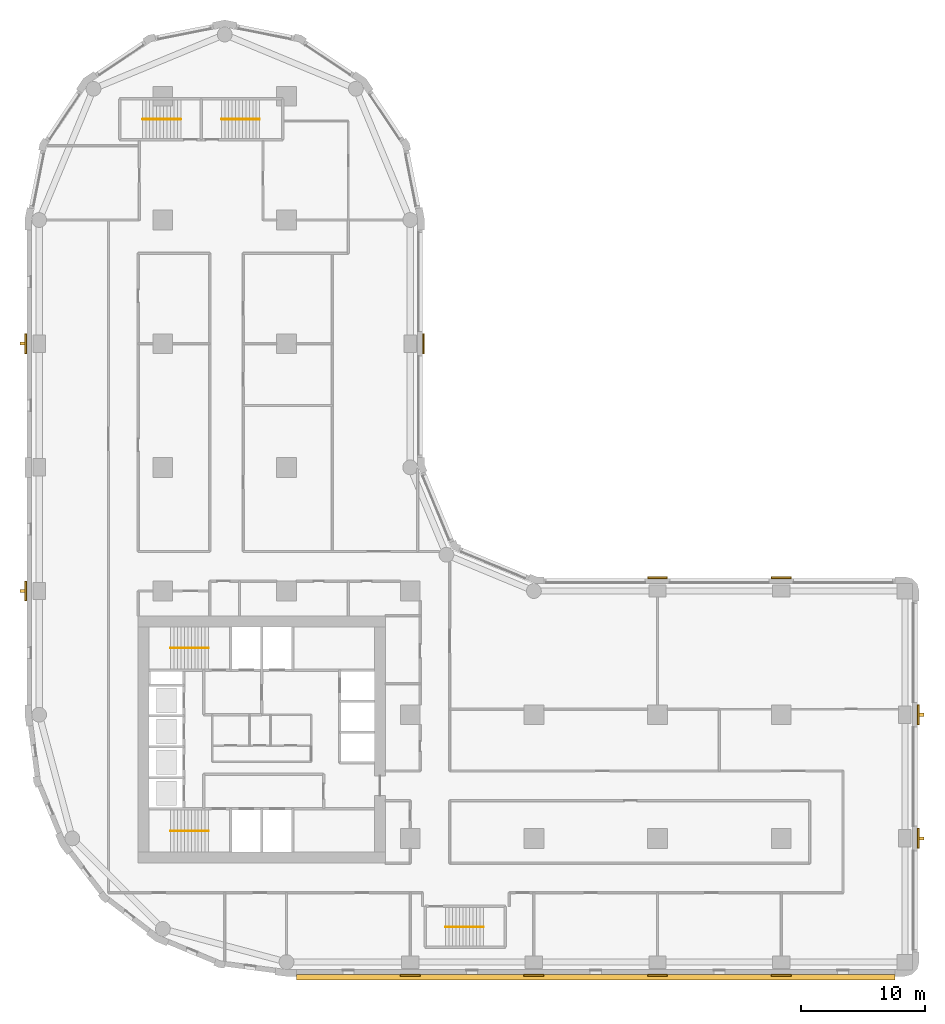
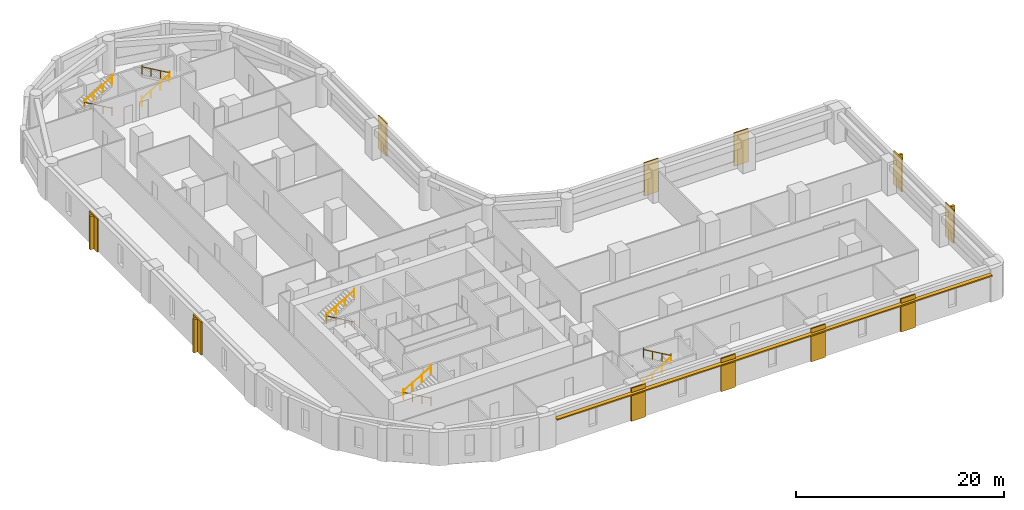
# One storey, part 9 of 10: 11 coverings, 10 railings, 5 shading devices.
"""IFC4 building model written with IfcOpenShell, lengths in metres."""

from ifc_helpers import new_model, si_unit, direction, frame, origin, origin_2d, place, context, subcontext, project, spatial, polyline, rectangle, circle, outline, extrude, material, layer, layer_set, type_object, element, save


model = new_model("IFC4")

# Units and contexts
model_context = context("Model", 3, precision=1e-05, world=origin(), true_north=direction((0.0, 1.0)))
body_context = subcontext(model_context, "Body", "Model", "MODEL_VIEW")
ifc_project = project(units=[si_unit("LENGTHUNIT", "METRE"), si_unit("AREAUNIT", "SQUARE_METRE"), si_unit("VOLUMEUNIT", "CUBIC_METRE"), si_unit("PLANEANGLEUNIT", "RADIAN"), si_unit("MASSUNIT", "GRAM", prefix="KILO")], contexts=[model_context])

# Site, building, storey
site_placement = place(None, origin())
site = spatial("IfcSite", under=ifc_project, at=site_placement, CompositionType="ELEMENT")
building_placement = place(site_placement, origin())
building = spatial("IfcBuilding", under=site, at=building_placement, Name="Qaws Garden Tower", CompositionType="ELEMENT")
storey_placement = place(building_placement, frame((0.0, 0.0, 105.60009765625)))
storey = spatial("IfcBuildingStorey", under=building, at=storey_placement, Name="L26", CompositionType="ELEMENT", Elevation=105.60009765625)

# Coverings
ifc_material_1 = material(Name="Clay facing brick masonry", Category="masonry")
ifc_layer_1 = layer(ifc_material_1, 0.14990234375)
ifc_layer_set_1 = layer_set([ifc_layer_1], Name="Clay facing brick masonry")
covering_type = type_object("IfcCoveringType", Name="Brick pilaster facing 150 x 1600", PredefinedType="CLADDING", material=ifc_layer_set_1)
placement = place(storey_placement, origin())
element("IfcCovering", 1, at=placement, inside=storey, type_object=covering_type, Name="E-L26-pier-01", PredefinedType="CLADDING", context=body_context, shape_type="SweptSolid", body=[
    extrude(outline(polyline([(29.199951171875, -1.0), (30.800048828125, -1.0), (30.800048828125, -1.14990234375), (29.199951171875, -1.14990234375), (29.199951171875, -1.0)])), origin(), (0.0, 0.0, 1.0), 3.89990234375),
])
element("IfcCovering", 2, at=placement, inside=storey, type_object=covering_type, Name="E-L26-pier-02", PredefinedType="CLADDING", context=body_context, shape_type="SweptSolid", body=[
    extrude(outline(polyline([(39.199951171875, -1.0), (40.800048828125, -1.0), (40.800048828125, -1.14990234375), (39.199951171875, -1.14990234375), (39.199951171875, -1.0)])), origin(), (0.0, 0.0, 1.0), 3.89990234375),
])
element("IfcCovering", 3, at=placement, inside=storey, type_object=covering_type, Name="E-L26-pier-03", PredefinedType="CLADDING", context=body_context, shape_type="SweptSolid", body=[
    extrude(outline(polyline([(49.199951171875, -1.0), (50.800048828125, -1.0), (50.800048828125, -1.14990234375), (49.199951171875, -1.14990234375), (49.199951171875, -1.0)])), origin(), (0.0, 0.0, 1.0), 3.89990234375),
])
element("IfcCovering", 4, at=placement, inside=storey, type_object=covering_type, Name="E-L26-pier-04", PredefinedType="CLADDING", context=body_context, shape_type="SweptSolid", body=[
    extrude(outline(polyline([(59.199951171875, -1.0), (60.800048828125, -1.0), (60.800048828125, -1.14990234375), (59.199951171875, -1.14990234375), (59.199951171875, -1.0)])), origin(), (0.0, 0.0, 1.0), 3.89990234375),
])
element("IfcCovering", 5, at=placement, inside=storey, type_object=covering_type, Name="E-L26-pier-06", PredefinedType="CLADDING", context=body_context, shape_type="SweptSolid", body=[
    extrude(outline(polyline([(71.0, 9.199951171875), (71.0, 10.800048828125), (71.14990234375, 10.800048828125), (71.14990234375, 9.199951171875), (71.0, 9.199951171875)])), origin(), (0.0, 0.0, 1.0), 3.89990234375),
])
element("IfcCovering", 6, at=placement, inside=storey, type_object=covering_type, Name="E-L26-pier-07", PredefinedType="CLADDING", context=body_context, shape_type="SweptSolid", body=[
    extrude(outline(polyline([(71.0, 19.199951171875), (71.0, 20.800048828125), (71.14990234375, 20.800048828125), (71.14990234375, 19.199951171875), (71.0, 19.199951171875)])), origin(), (0.0, 0.0, 1.0), 3.89990234375),
])
element("IfcCovering", 7, at=placement, inside=storey, type_object=covering_type, Name="E-L26-pier-09", PredefinedType="CLADDING", context=body_context, shape_type="SweptSolid", body=[
    extrude(outline(polyline([(60.800048828125, 31.0), (59.199951171875, 31.0), (59.199951171875, 31.14990234375), (60.800048828125, 31.14990234375), (60.800048828125, 31.0)])), origin(), (0.0, 0.0, 1.0), 3.89990234375),
])
element("IfcCovering", 8, at=placement, inside=storey, type_object=covering_type, Name="E-L26-pier-10", PredefinedType="CLADDING", context=body_context, shape_type="SweptSolid", body=[
    extrude(outline(polyline([(50.800048828125, 31.0), (49.199951171875, 31.0), (49.199951171875, 31.14990234375), (50.800048828125, 31.14990234375), (50.800048828125, 31.0)])), origin(), (0.0, 0.0, 1.0), 3.89990234375),
])
element("IfcCovering", 9, at=placement, inside=storey, type_object=covering_type, Name="E-L26-pier-14", PredefinedType="CLADDING", context=body_context, shape_type="SweptSolid", body=[
    extrude(outline(polyline([(31.0, 49.199951171875), (31.0, 50.800048828125), (31.14990234375, 50.800048828125), (31.14990234375, 49.199951171875), (31.0, 49.199951171875)])), origin(), (0.0, 0.0, 1.0), 3.89990234375),
])
element("IfcCovering", 10, at=placement, inside=storey, type_object=covering_type, Name="E-L26-pier-24", PredefinedType="CLADDING", context=body_context, shape_type="SweptSolid", body=[
    extrude(outline(polyline([(-1.0, 50.800048828125), (-1.0, 49.199951171875), (-1.14990234375, 49.199951171875), (-1.14990234375, 50.800048828125), (-1.0, 50.800048828125)])), origin(), (0.0, 0.0, 1.0), 3.89990234375),
])
element("IfcCovering", 11, at=placement, inside=storey, type_object=covering_type, Name="E-L26-pier-26", PredefinedType="CLADDING", context=body_context, shape_type="SweptSolid", body=[
    extrude(outline(polyline([(-1.0, 30.800048828125), (-1.0, 29.199951171875), (-1.14990234375, 29.199951171875), (-1.14990234375, 30.800048828125), (-1.0, 30.800048828125)])), origin(), (0.0, 0.0, 1.0), 3.89990234375),
])

# Shading devices
ifc_material_2 = material(Name="Clay facing brick masonry", Category="masonry")
ifc_layer_2 = layer(ifc_material_2, 0.14990234375)
ifc_layer_set_2 = layer_set([ifc_layer_2], Name="Clay facing brick masonry")
shading_device_type_1 = type_object("IfcShadingDeviceType", Name="Brick sunshade band 450 x 150", PredefinedType="JALOUSIE", material=ifc_layer_set_2)
shading_device_placement = place(storey_placement, frame((0.0, 0.0, 3.25)))
element("IfcShadingDevice", 12, at=shading_device_placement, inside=storey, type_object=shading_device_type_1, Name="SUNSHADE 00", PredefinedType="JALOUSIE", context=body_context, shape_type="SweptSolid", body=[
    extrude(outline(polyline([(20.800048828125, -1.0), (20.800048828125, -1.449951171875), (69.199951171875, -1.449951171875), (69.199951171875, -1.0), (60.800048828125, -1.0), (60.800048828125, -1.14990234375), (59.199951171875, -1.14990234375), (59.199951171875, -1.0), (50.800048828125, -1.0), (50.800048828125, -1.14990234375), (49.199951171875, -1.14990234375), (49.199951171875, -1.0), (40.800048828125, -1.0), (40.800048828125, -1.14990234375), (39.199951171875, -1.14990234375), (39.199951171875, -1.0), (30.800048828125, -1.0), (30.800048828125, -1.14990234375), (29.199951171875, -1.14990234375), (29.199951171875, -1.0), (20.800048828125, -1.0)])), origin(), (0.0, 0.0, 1.0), 0.14990234375),
])
ifc_material_3 = material(Name="Clay facing brick masonry", Category="masonry")
ifc_layer_3 = layer(ifc_material_3, 0.25)
ifc_layer_set_3 = layer_set([ifc_layer_3], Name="Clay facing brick masonry")
shading_device_type_2 = type_object("IfcShadingDeviceType", Name="Brick-faced fin 250 x 400", PredefinedType="USERDEFINED", material=ifc_layer_set_3)
for number, where, z_axis, x_axis, name in (
    (13, (71.35009765625, 10.0, 0.0), (0.0, 0.0, 1.0), (0.0, 1.0, 0.0), "FIN 06"),
    (14, (71.35009765625, 20.0, 0.0), (0.0, 0.0, 1.0), (0.0, 1.0, 0.0), "FIN 07"),
    (15, (-1.35009765625, 50.0, 0.0), (0.0, 0.0, 1.0), (0.0, -1.0, 0.0), "FIN 24"),
    (16, (-1.35009765625, 30.0, 0.0), (0.0, 0.0, 1.0), (0.0, -1.0, 0.0), "FIN 26"),
):
    element("IfcShadingDevice", number, at=place(storey_placement, frame(where, z_axis=z_axis, x_axis=x_axis)), inside=storey, type_object=shading_device_type_2, Name=name, ObjectType="FIN", PredefinedType="USERDEFINED", context=body_context, shape_type="SweptSolid", body=[
        extrude(rectangle(XDim=0.25, YDim=0.39990234375, at=origin_2d()), origin(), (0.0, 0.0, 1.0), 3.89990234375),
    ])

# Railings
ifc_material_4 = material(Name="Steel S355", Category="steel")
railing_type = type_object("IfcRailingType", Name="Stair handrail 900", PredefinedType="HANDRAIL", material=ifc_material_4)
railing_1_placement = place(storey_placement, frame((13.699951171875, 10.60009765625, 0.162353515625)))
element("IfcRailing", 17, at=railing_1_placement, inside=storey, type_object=railing_type, Name="Stair 1 handrail", PredefinedType="HANDRAIL", context=body_context, shape_type="SweptSolid", body=[
    extrude(circle(Radius=0.02392578125, at=origin_2d()), frame((0.0, 0.0, 0.8759765625), z_axis=(-0.864873446163, 0.0, 0.501989962173), x_axis=(0.0, -1.0, 0.0)), (0.0, 0.0, 1.0), 3.56103515625),
    extrude(circle(Radius=0.02099609375, at=origin_2d()), origin(), (0.0, 0.0, 1.0), 1.06201171875),
    extrude(circle(Radius=0.02099609375, at=origin_2d()), frame((-1.026611328125, 0.0, 0.595947265625)), (0.0, 0.0, 1.0), 0.851806640625),
    extrude(circle(Radius=0.02099609375, at=origin_2d()), frame((-2.05322265625, 0.0, 1.191650390625)), (0.0, 0.0, 1.0), 0.851806640625),
    extrude(circle(Radius=0.02099609375, at=origin_2d()), frame((-3.079833984375, 0.0, 1.78759765625)), (0.0, 0.0, 1.0), 1.06201171875),
])
railing_2_placement = place(storey_placement, frame((10.6201171875, 10.60009765625, 2.1123046875)))
element("IfcRailing", 18, at=railing_2_placement, inside=storey, type_object=railing_type, Name="Stair 1 handrail", PredefinedType="HANDRAIL", context=body_context, shape_type="SweptSolid", body=[
    extrude(circle(Radius=0.02392578125, at=origin_2d()), frame((0.0, 0.0, 0.8759765625), z_axis=(0.864873446163, 0.0, 0.501989962173), x_axis=(0.0, 1.0, 0.0)), (0.0, 0.0, 1.0), 3.56103515625),
    extrude(circle(Radius=0.02099609375, at=origin_2d()), origin(), (0.0, 0.0, 1.0), 1.06201171875),
    extrude(circle(Radius=0.02099609375, at=origin_2d()), frame((1.026611328125, 0.0, 0.595947265625)), (0.0, 0.0, 1.0), 0.851806640625),
    extrude(circle(Radius=0.02099609375, at=origin_2d()), frame((2.05322265625, 0.0, 1.191650390625)), (0.0, 0.0, 1.0), 0.851806640625),
    extrude(circle(Radius=0.02099609375, at=origin_2d()), frame((3.079833984375, 0.0, 1.78759765625)), (0.0, 0.0, 1.0), 1.06201171875),
])
railing_3_placement = place(storey_placement, frame((13.699951171875, 25.39990234375, 0.162353515625)))
element("IfcRailing", 19, at=railing_3_placement, inside=storey, type_object=railing_type, Name="Stair 4 handrail", PredefinedType="HANDRAIL", context=body_context, shape_type="SweptSolid", body=[
    extrude(circle(Radius=0.02392578125, at=origin_2d()), frame((0.0, 0.0, 0.8759765625), z_axis=(-0.864873446163, 0.0, 0.501989962173), x_axis=(0.0, -1.0, 0.0)), (0.0, 0.0, 1.0), 3.56103515625),
    extrude(circle(Radius=0.02099609375, at=origin_2d()), origin(), (0.0, 0.0, 1.0), 1.06201171875),
    extrude(circle(Radius=0.02099609375, at=origin_2d()), frame((-1.026611328125, 0.0, 0.595947265625)), (0.0, 0.0, 1.0), 0.851806640625),
    extrude(circle(Radius=0.02099609375, at=origin_2d()), frame((-2.05322265625, 0.0, 1.191650390625)), (0.0, 0.0, 1.0), 0.851806640625),
    extrude(circle(Radius=0.02099609375, at=origin_2d()), frame((-3.079833984375, 0.0, 1.78759765625)), (0.0, 0.0, 1.0), 1.06201171875),
])
for number, where, name in (
    (20, (10.6201171875, 25.39990234375, 2.1123046875), "Stair 4 handrail"),
    (21, (32.85009765625, 2.85009765625, 0.162353515625), "Stair 5 handrail"),
):
    element("IfcRailing", number, at=place(storey_placement, frame(where)), inside=storey, type_object=railing_type, Name=name, PredefinedType="HANDRAIL", context=body_context, shape_type="SweptSolid", body=[
        extrude(circle(Radius=0.02392578125, at=origin_2d()), frame((0.0, 0.0, 0.8759765625), z_axis=(0.864873446163, 0.0, 0.501989962173), x_axis=(0.0, 1.0, 0.0)), (0.0, 0.0, 1.0), 3.56103515625),
        extrude(circle(Radius=0.02099609375, at=origin_2d()), origin(), (0.0, 0.0, 1.0), 1.06201171875),
        extrude(circle(Radius=0.02099609375, at=origin_2d()), frame((1.026611328125, 0.0, 0.595947265625)), (0.0, 0.0, 1.0), 0.851806640625),
        extrude(circle(Radius=0.02099609375, at=origin_2d()), frame((2.05322265625, 0.0, 1.191650390625)), (0.0, 0.0, 1.0), 0.851806640625),
        extrude(circle(Radius=0.02099609375, at=origin_2d()), frame((3.079833984375, 0.0, 1.78759765625)), (0.0, 0.0, 1.0), 1.06201171875),
    ])
for number, where, name in (
    (22, (35.929931640625, 2.85009765625, 2.1123046875), "Stair 5 handrail"),
    (23, (11.449951171875, 68.14990234375, 0.162353515625), "Stair 6 handrail"),
):
    element("IfcRailing", number, at=place(storey_placement, frame(where)), inside=storey, type_object=railing_type, Name=name, PredefinedType="HANDRAIL", context=body_context, shape_type="SweptSolid", body=[
        extrude(circle(Radius=0.02392578125, at=origin_2d()), frame((0.0, 0.0, 0.8759765625), z_axis=(-0.864873446163, 0.0, 0.501989962173), x_axis=(0.0, -1.0, 0.0)), (0.0, 0.0, 1.0), 3.56103515625),
        extrude(circle(Radius=0.02099609375, at=origin_2d()), origin(), (0.0, 0.0, 1.0), 1.06201171875),
        extrude(circle(Radius=0.02099609375, at=origin_2d()), frame((-1.026611328125, 0.0, 0.595947265625)), (0.0, 0.0, 1.0), 0.851806640625),
        extrude(circle(Radius=0.02099609375, at=origin_2d()), frame((-2.05322265625, 0.0, 1.191650390625)), (0.0, 0.0, 1.0), 0.851806640625),
        extrude(circle(Radius=0.02099609375, at=origin_2d()), frame((-3.079833984375, 0.0, 1.78759765625)), (0.0, 0.0, 1.0), 1.06201171875),
    ])
railing_4_placement = place(storey_placement, frame((8.3701171875, 68.14990234375, 2.1123046875)))
element("IfcRailing", 24, at=railing_4_placement, inside=storey, type_object=railing_type, Name="Stair 6 handrail", PredefinedType="HANDRAIL", context=body_context, shape_type="SweptSolid", body=[
    extrude(circle(Radius=0.02392578125, at=origin_2d()), frame((0.0, 0.0, 0.8759765625), z_axis=(0.864873446163, 0.0, 0.501989962173), x_axis=(0.0, 1.0, 0.0)), (0.0, 0.0, 1.0), 3.56103515625),
    extrude(circle(Radius=0.02099609375, at=origin_2d()), origin(), (0.0, 0.0, 1.0), 1.06201171875),
    extrude(circle(Radius=0.02099609375, at=origin_2d()), frame((1.026611328125, 0.0, 0.595947265625)), (0.0, 0.0, 1.0), 0.851806640625),
    extrude(circle(Radius=0.02099609375, at=origin_2d()), frame((2.05322265625, 0.0, 1.191650390625)), (0.0, 0.0, 1.0), 0.851806640625),
    extrude(circle(Radius=0.02099609375, at=origin_2d()), frame((3.079833984375, 0.0, 1.78759765625)), (0.0, 0.0, 1.0), 1.06201171875),
])
railing_5_placement = place(storey_placement, frame((14.75, 68.14990234375, 0.162353515625)))
element("IfcRailing", 25, at=railing_5_placement, inside=storey, type_object=railing_type, Name="Stair 7 handrail", PredefinedType="HANDRAIL", context=body_context, shape_type="SweptSolid", body=[
    extrude(circle(Radius=0.02392578125, at=origin_2d()), frame((0.0, 0.0, 0.8759765625), z_axis=(0.864890721111, 0.0, 0.501960198159), x_axis=(0.0, 1.0, 0.0)), (0.0, 0.0, 1.0), 3.561279296875),
    extrude(circle(Radius=0.02099609375, at=origin_2d()), origin(), (0.0, 0.0, 1.0), 1.06201171875),
    extrude(circle(Radius=0.02099609375, at=origin_2d()), frame((1.026611328125, 0.0, 0.595947265625)), (0.0, 0.0, 1.0), 0.851806640625),
    extrude(circle(Radius=0.02099609375, at=origin_2d()), frame((2.053466796875, 0.0, 1.191650390625)), (0.0, 0.0, 1.0), 0.851806640625),
    extrude(circle(Radius=0.02099609375, at=origin_2d()), frame((3.080078125, 0.0, 1.78759765625)), (0.0, 0.0, 1.0), 1.06201171875),
])
railing_6_placement = place(storey_placement, frame((17.830078125, 68.14990234375, 2.1123046875)))
element("IfcRailing", 26, at=railing_6_placement, inside=storey, type_object=railing_type, Name="Stair 7 handrail", PredefinedType="HANDRAIL", context=body_context, shape_type="SweptSolid", body=[
    extrude(circle(Radius=0.02392578125, at=origin_2d()), frame((0.0, 0.0, 0.8759765625), z_axis=(-0.864890721111, 0.0, 0.501960198159), x_axis=(0.0, -1.0, 0.0)), (0.0, 0.0, 1.0), 3.561279296875),
    extrude(circle(Radius=0.02099609375, at=origin_2d()), origin(), (0.0, 0.0, 1.0), 1.06201171875),
    extrude(circle(Radius=0.02099609375, at=origin_2d()), frame((-1.026611328125, 0.0, 0.595947265625)), (0.0, 0.0, 1.0), 0.851806640625),
    extrude(circle(Radius=0.02099609375, at=origin_2d()), frame((-2.053466796875, 0.0, 1.191650390625)), (0.0, 0.0, 1.0), 0.851806640625),
    extrude(circle(Radius=0.02099609375, at=origin_2d()), frame((-3.080078125, 0.0, 1.78759765625)), (0.0, 0.0, 1.0), 1.06201171875),
])

save(model, "model.ifc")
